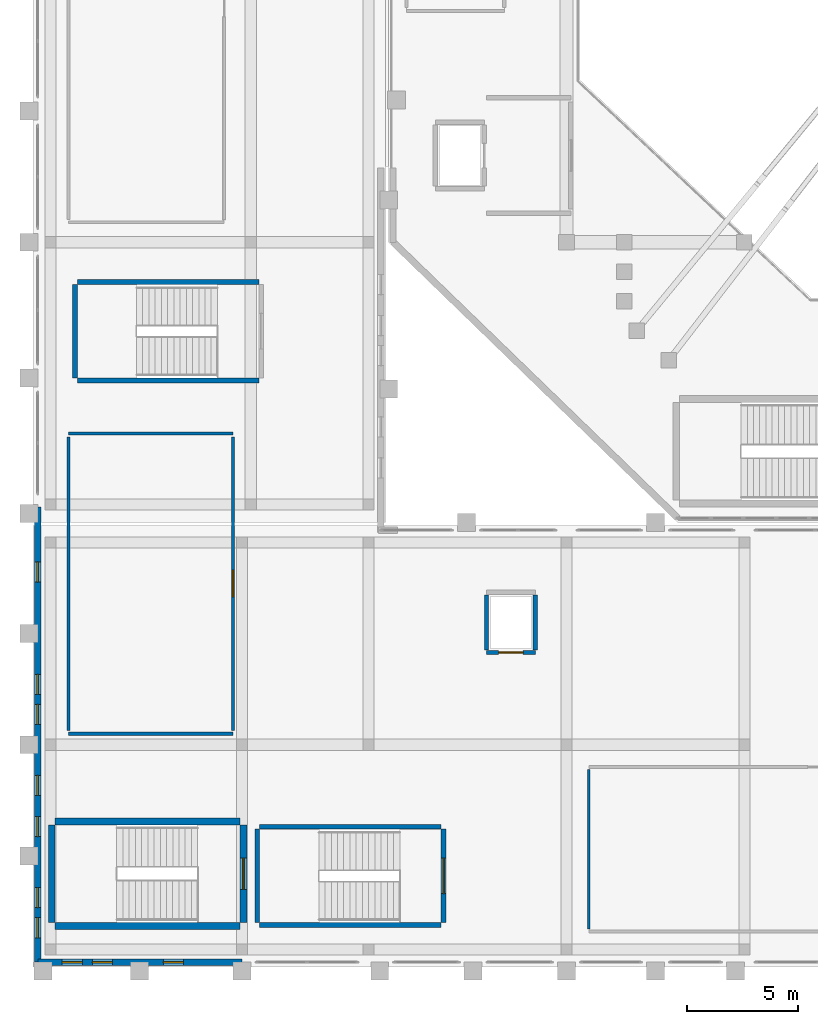
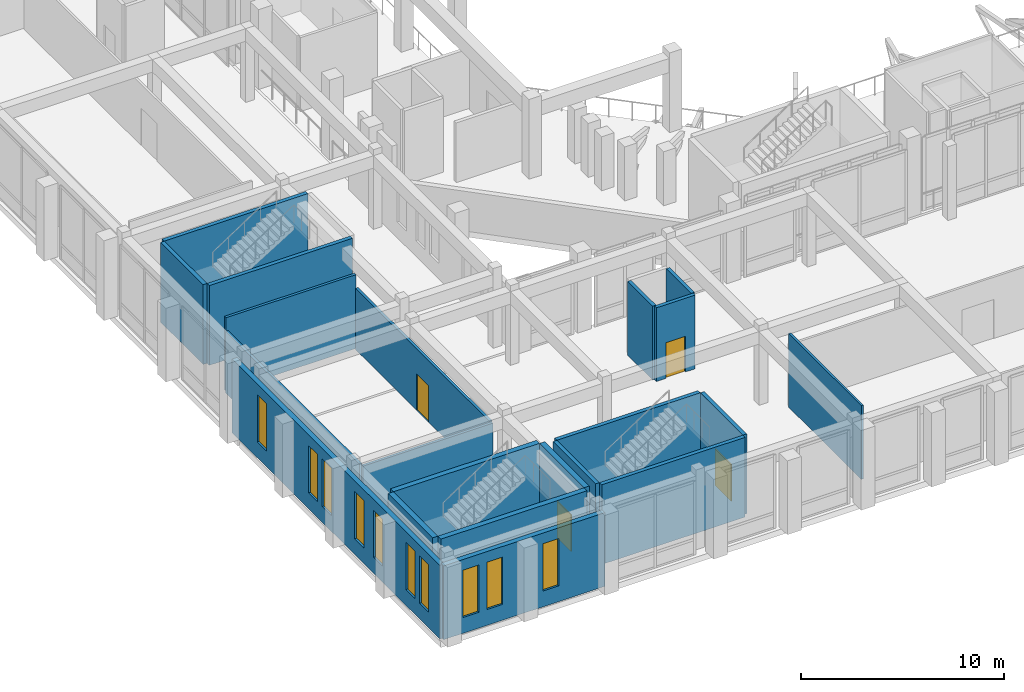
# One storey, part 54 of 79: 21 walls, 10 windows, 4 doors, 14 openings.
"""IFC4 building model written with IfcOpenShell, lengths in metres."""

from ifc_helpers import new_model, si_unit, derived_unit, direction, frame, frame_2d, origin, place, context, subcontext, project, spatial, rectangle, extrude, material, layer, layer_set, type_object, element, fill, save


model = new_model("IFC4")

# Units and contexts
model_context = context("Model", 3, precision=1e-05, world=origin(), true_north=direction((0.0, 1.0)))
body_context = subcontext(model_context, "Body", "Model", "MODEL_VIEW")
ifc_project = project(units=[si_unit("LENGTHUNIT", "METRE"), si_unit("AREAUNIT", "SQUARE_METRE"), si_unit("VOLUMEUNIT", "CUBIC_METRE"), si_unit("PLANEANGLEUNIT", "RADIAN"), si_unit("MASSUNIT", "GRAM", prefix="KILO"), derived_unit("THERMALTRANSMITTANCEUNIT", [(si_unit("MASSUNIT", "GRAM", prefix="KILO"), 1), (si_unit("TIMEUNIT", "SECOND"), -3), (si_unit("THERMODYNAMICTEMPERATUREUNIT", "KELVIN"), -1)])], contexts=[model_context])

# Site, building, storey
site_placement = place(None, origin())
site = spatial("IfcSite", under=ifc_project, at=site_placement, CompositionType="ELEMENT")
building_placement = place(site_placement, origin())
building = spatial("IfcBuilding", under=site, at=building_placement, Name="Valcora Ridge Arena", CompositionType="ELEMENT")
storey_placement = place(building_placement, frame((0.0, 0.0, 16.199951171875)))
storey = spatial("IfcBuildingStorey", under=building, at=storey_placement, Name="L03", CompositionType="ELEMENT", Elevation=16.199951171875)

# Wall, openings, windows
ifc_material_1 = material(Name="Bush-hammered Andean travertine on concrete backup C40/50", Category="masonry")
ifc_layer_1 = layer(ifc_material_1, 0.280029296875, Name="Bush-hammered Andean travertine on concrete backup C40/50")
ifc_layer_set_1 = layer_set([ifc_layer_1], Name="Bush-hammered Andean travertine on concrete backup C40/50")
wall_type_1 = type_object("IfcWallType", Name="TY-WALL-EW-TRV-28-44", PredefinedType="STANDARD", material=ifc_layer_set_1)
wall_1_placement = place(storey_placement, frame((0.219970703125, 0.219970703125, 0.0), z_axis=(0.0, 0.0, 1.0), x_axis=(1.0, 0.0, 0.0)))
wall_1 = element("IfcWall", 1, at=wall_1_placement, inside=storey, type_object=wall_type_1, Name="EW-TRV-28-44 WAL-EW-0092", PredefinedType="STANDARD", context=body_context, shape_type="SweptSolid", body=[
    extrude(rectangle(XDim=9.179931640625, YDim=0.280029296875, at=frame_2d((4.58984375, 0.0))), origin(), (0.0, 0.0, 1.0), 4.43994140625),
])
opening_1_placement = place(wall_1_placement, frame((1.10009765625, 0.0, 0.949951171875)))
opening_1 = element("IfcOpeningElement", 2, at=opening_1_placement, cuts=wall_1, Name="Opening W-GLAN-90X285", PredefinedType="OPENING", context=body_context, shape_type="SweptSolid", body=[
    extrude(rectangle(XDim=0.89990234375, YDim=2.85009765625, at=frame_2d((0.449951171875, 1.425048828125))), frame((0.0, 0.14990234375, 0.0), z_axis=(0.0, -1.0, 0.0), x_axis=(1.0, 0.0, 0.0)), (0.0, 0.0, 1.0), 0.300048828125),
])
opening_2_placement = place(wall_1_placement, frame((2.449951171875, 0.0, 0.949951171875)))
opening_2 = element("IfcOpeningElement", 3, at=opening_2_placement, cuts=wall_1, Name="Opening W-GLAN-90X285", PredefinedType="OPENING", context=body_context, shape_type="SweptSolid", body=[
    extrude(rectangle(XDim=0.89990234375, YDim=2.85009765625, at=frame_2d((0.449951171875, 1.425048828125))), frame((0.0, 0.14990234375, 0.0), z_axis=(0.0, -1.0, 0.0), x_axis=(1.0, 0.0, 0.0)), (0.0, 0.0, 1.0), 0.300048828125),
])
opening_3_placement = place(wall_1_placement, frame((5.64990234375, 0.0, 0.949951171875)))
opening_3 = element("IfcOpeningElement", 4, at=opening_3_placement, cuts=wall_1, Name="Opening W-GLAN-90X285", PredefinedType="OPENING", context=body_context, shape_type="SweptSolid", body=[
    extrude(rectangle(XDim=0.89990234375, YDim=2.85009765625, at=frame_2d((0.449951171875, 1.425048828125))), frame((0.0, 0.14990234375, 0.0), z_axis=(0.0, -1.0, 0.0), x_axis=(1.0, 0.0, 0.0)), (0.0, 0.0, 1.0), 0.300048828125),
])
ifc_material_2 = material(Name="Low-iron solar-control double glazing SHGC 0.28", Category="glass")
window_type = type_object("IfcWindowType", Name="TY-WINDOW-W-GLAN-90X285", PartitioningType="DOUBLE_PANEL_VERTICAL", PredefinedType="WINDOW", material=ifc_material_2)
window_1_placement = place(opening_1_placement, origin())
window_1 = element("IfcWindow", 5, at=window_1_placement, inside=storey, type_object=window_type, Name="W-GLAN-90X285 WIN-EX-0286", OverallHeight=2.85009765625, OverallWidth=0.89990234375, PartitioningType="DOUBLE_PANEL_VERTICAL", PredefinedType="WINDOW", context=body_context, shape_type="SweptSolid", body=[
    extrude(rectangle(XDim=0.89990234375, YDim=2.85009765625, at=frame_2d((0.449951171875, 1.425048828125))), frame((0.0, 0.030029296875, 0.0), z_axis=(0.0, -1.0, 0.0), x_axis=(1.0, 0.0, 0.0)), (0.0, 0.0, 1.0), 0.06005859375),
])
fill(opening_1, window_1)
window_2_placement = place(opening_2_placement, origin())
window_2 = element("IfcWindow", 6, at=window_2_placement, inside=storey, type_object=window_type, Name="W-GLAN-90X285 WIN-EX-0287", OverallHeight=2.85009765625, OverallWidth=0.89990234375, PartitioningType="DOUBLE_PANEL_VERTICAL", PredefinedType="WINDOW", context=body_context, shape_type="SweptSolid", body=[
    extrude(rectangle(XDim=0.89990234375, YDim=2.85009765625, at=frame_2d((0.449951171875, 1.425048828125))), frame((0.0, 0.030029296875, 0.0), z_axis=(0.0, -1.0, 0.0), x_axis=(1.0, 0.0, 0.0)), (0.0, 0.0, 1.0), 0.06005859375),
])
fill(opening_2, window_2)
window_3_placement = place(opening_3_placement, origin())
window_3 = element("IfcWindow", 7, at=window_3_placement, inside=storey, type_object=window_type, Name="W-GLAN-90X285 WIN-EX-0288", OverallHeight=2.85009765625, OverallWidth=0.89990234375, PartitioningType="DOUBLE_PANEL_VERTICAL", PredefinedType="WINDOW", context=body_context, shape_type="SweptSolid", body=[
    extrude(rectangle(XDim=0.89990234375, YDim=2.85009765625, at=frame_2d((0.449951171875, 1.425048828125))), frame((0.0, 0.030029296875, 0.0), z_axis=(0.0, -1.0, 0.0), x_axis=(1.0, 0.0, 0.0)), (0.0, 0.0, 1.0), 0.06005859375),
])
fill(opening_3, window_3)

wall_2_placement = place(storey_placement, frame((0.219970703125, 0.219970703125, 0.0), z_axis=(0.0, 0.0, 1.0), x_axis=(0.0, 1.0, 0.0)))
wall_2 = element("IfcWall", 8, at=wall_2_placement, inside=storey, type_object=wall_type_1, Name="EW-TRV-28-44 WAL-EW-0094", PredefinedType="STANDARD", context=body_context, shape_type="SweptSolid", body=[
    extrude(rectangle(XDim=20.47998046875, YDim=0.280029296875, at=frame_2d((10.239990234375, 0.0))), origin(), (0.0, 0.0, 1.0), 4.43994140625),
])
opening_4_placement = place(wall_2_placement, frame((1.10009765625, 0.0, 0.949951171875)))
opening_4 = element("IfcOpeningElement", 9, at=opening_4_placement, cuts=wall_2, Name="Opening W-GLAN-90X285", PredefinedType="OPENING", context=body_context, shape_type="SweptSolid", body=[
    extrude(rectangle(XDim=0.89990234375, YDim=2.85009765625, at=frame_2d((0.449951171875, 1.425048828125))), frame((0.0, 0.14990234375, 0.0), z_axis=(0.0, -1.0, 0.0), x_axis=(1.0, 0.0, 0.0)), (0.0, 0.0, 1.0), 0.300048828125),
])
opening_5_placement = place(wall_2_placement, frame((2.449951171875, 0.0, 0.949951171875)))
opening_5 = element("IfcOpeningElement", 10, at=opening_5_placement, cuts=wall_2, Name="Opening W-GLAN-90X285", PredefinedType="OPENING", context=body_context, shape_type="SweptSolid", body=[
    extrude(rectangle(XDim=0.89990234375, YDim=2.85009765625, at=frame_2d((0.449951171875, 1.425048828125))), frame((0.0, 0.14990234375, 0.0), z_axis=(0.0, -1.0, 0.0), x_axis=(1.0, 0.0, 0.0)), (0.0, 0.0, 1.0), 0.300048828125),
])
opening_6_placement = place(wall_2_placement, frame((5.64990234375, 0.0, 0.949951171875)))
opening_6 = element("IfcOpeningElement", 11, at=opening_6_placement, cuts=wall_2, Name="Opening W-GLAN-90X285", PredefinedType="OPENING", context=body_context, shape_type="SweptSolid", body=[
    extrude(rectangle(XDim=0.89990234375, YDim=2.85009765625, at=frame_2d((0.449951171875, 1.425048828125))), frame((0.0, 0.14990234375, 0.0), z_axis=(0.0, -1.0, 0.0), x_axis=(1.0, 0.0, 0.0)), (0.0, 0.0, 1.0), 0.300048828125),
])
opening_7_placement = place(wall_2_placement, frame((7.5, 0.0, 0.949951171875)))
opening_7 = element("IfcOpeningElement", 12, at=opening_7_placement, cuts=wall_2, Name="Opening W-GLAN-90X285", PredefinedType="OPENING", context=body_context, shape_type="SweptSolid", body=[
    extrude(rectangle(XDim=0.89990234375, YDim=2.85009765625, at=frame_2d((0.449951171875, 1.425048828125))), frame((0.0, 0.14990234375, 0.0), z_axis=(0.0, -1.0, 0.0), x_axis=(1.0, 0.0, 0.0)), (0.0, 0.0, 1.0), 0.300048828125),
])
opening_8_placement = place(wall_2_placement, frame((10.699951171875, 0.0, 0.949951171875)))
opening_8 = element("IfcOpeningElement", 13, at=opening_8_placement, cuts=wall_2, Name="Opening W-GLAN-90X285", PredefinedType="OPENING", context=body_context, shape_type="SweptSolid", body=[
    extrude(rectangle(XDim=0.89990234375, YDim=2.85009765625, at=frame_2d((0.449951171875, 1.425048828125))), frame((0.0, 0.14990234375, 0.0), z_axis=(0.0, -1.0, 0.0), x_axis=(1.0, 0.0, 0.0)), (0.0, 0.0, 1.0), 0.300048828125),
])
opening_9_placement = place(wall_2_placement, frame((12.050048828125, 0.0, 0.949951171875)))
opening_9 = element("IfcOpeningElement", 14, at=opening_9_placement, cuts=wall_2, Name="Opening W-GLAN-90X285", PredefinedType="OPENING", context=body_context, shape_type="SweptSolid", body=[
    extrude(rectangle(XDim=0.89990234375, YDim=2.85009765625, at=frame_2d((0.449951171875, 1.425048828125))), frame((0.0, 0.14990234375, 0.0), z_axis=(0.0, -1.0, 0.0), x_axis=(1.0, 0.0, 0.0)), (0.0, 0.0, 1.0), 0.300048828125),
])
opening_10_placement = place(wall_2_placement, frame((17.10009765625, 0.0, 0.949951171875)))
opening_10 = element("IfcOpeningElement", 15, at=opening_10_placement, cuts=wall_2, Name="Opening W-GLAN-90X285", PredefinedType="OPENING", context=body_context, shape_type="SweptSolid", body=[
    extrude(rectangle(XDim=0.89990234375, YDim=2.85009765625, at=frame_2d((0.449951171875, 1.425048828125))), frame((0.0, 0.14990234375, 0.0), z_axis=(0.0, -1.0, 0.0), x_axis=(1.0, 0.0, 0.0)), (0.0, 0.0, 1.0), 0.300048828125),
])
window_4_placement = place(opening_4_placement, origin())
window_4 = element("IfcWindow", 16, at=window_4_placement, inside=storey, type_object=window_type, Name="W-GLAN-90X285 WIN-EX-0294", OverallHeight=2.85009765625, OverallWidth=0.89990234375, PartitioningType="DOUBLE_PANEL_VERTICAL", PredefinedType="WINDOW", context=body_context, shape_type="SweptSolid", body=[
    extrude(rectangle(XDim=0.89990234375, YDim=2.85009765625, at=frame_2d((0.449951171875, 1.425048828125))), frame((0.0, 0.030029296875, 0.0), z_axis=(0.0, -1.0, 0.0), x_axis=(1.0, 0.0, 0.0)), (0.0, 0.0, 1.0), 0.06005859375),
])
fill(opening_4, window_4)
window_5_placement = place(opening_5_placement, origin())
window_5 = element("IfcWindow", 17, at=window_5_placement, inside=storey, type_object=window_type, Name="W-GLAN-90X285 WIN-EX-0295", OverallHeight=2.85009765625, OverallWidth=0.89990234375, PartitioningType="DOUBLE_PANEL_VERTICAL", PredefinedType="WINDOW", context=body_context, shape_type="SweptSolid", body=[
    extrude(rectangle(XDim=0.89990234375, YDim=2.85009765625, at=frame_2d((0.449951171875, 1.425048828125))), frame((0.0, 0.030029296875, 0.0), z_axis=(0.0, -1.0, 0.0), x_axis=(1.0, 0.0, 0.0)), (0.0, 0.0, 1.0), 0.06005859375),
])
fill(opening_5, window_5)
window_6_placement = place(opening_6_placement, origin())
window_6 = element("IfcWindow", 18, at=window_6_placement, inside=storey, type_object=window_type, Name="W-GLAN-90X285 WIN-EX-0296", OverallHeight=2.85009765625, OverallWidth=0.89990234375, PartitioningType="DOUBLE_PANEL_VERTICAL", PredefinedType="WINDOW", context=body_context, shape_type="SweptSolid", body=[
    extrude(rectangle(XDim=0.89990234375, YDim=2.85009765625, at=frame_2d((0.449951171875, 1.425048828125))), frame((0.0, 0.030029296875, 0.0), z_axis=(0.0, -1.0, 0.0), x_axis=(1.0, 0.0, 0.0)), (0.0, 0.0, 1.0), 0.06005859375),
])
fill(opening_6, window_6)
window_7_placement = place(opening_7_placement, origin())
window_7 = element("IfcWindow", 19, at=window_7_placement, inside=storey, type_object=window_type, Name="W-GLAN-90X285 WIN-EX-0297", OverallHeight=2.85009765625, OverallWidth=0.89990234375, PartitioningType="DOUBLE_PANEL_VERTICAL", PredefinedType="WINDOW", context=body_context, shape_type="SweptSolid", body=[
    extrude(rectangle(XDim=0.89990234375, YDim=2.85009765625, at=frame_2d((0.449951171875, 1.425048828125))), frame((0.0, 0.030029296875, 0.0), z_axis=(0.0, -1.0, 0.0), x_axis=(1.0, 0.0, 0.0)), (0.0, 0.0, 1.0), 0.06005859375),
])
fill(opening_7, window_7)
window_8_placement = place(opening_8_placement, origin())
window_8 = element("IfcWindow", 20, at=window_8_placement, inside=storey, type_object=window_type, Name="W-GLAN-90X285 WIN-EX-0298", OverallHeight=2.85009765625, OverallWidth=0.89990234375, PartitioningType="DOUBLE_PANEL_VERTICAL", PredefinedType="WINDOW", context=body_context, shape_type="SweptSolid", body=[
    extrude(rectangle(XDim=0.89990234375, YDim=2.85009765625, at=frame_2d((0.449951171875, 1.425048828125))), frame((0.0, 0.030029296875, 0.0), z_axis=(0.0, -1.0, 0.0), x_axis=(1.0, 0.0, 0.0)), (0.0, 0.0, 1.0), 0.06005859375),
])
fill(opening_8, window_8)
window_9_placement = place(opening_9_placement, origin())
window_9 = element("IfcWindow", 21, at=window_9_placement, inside=storey, type_object=window_type, Name="W-GLAN-90X285 WIN-EX-0299", OverallHeight=2.85009765625, OverallWidth=0.89990234375, PartitioningType="DOUBLE_PANEL_VERTICAL", PredefinedType="WINDOW", context=body_context, shape_type="SweptSolid", body=[
    extrude(rectangle(XDim=0.89990234375, YDim=2.85009765625, at=frame_2d((0.449951171875, 1.425048828125))), frame((0.0, 0.030029296875, 0.0), z_axis=(0.0, -1.0, 0.0), x_axis=(1.0, 0.0, 0.0)), (0.0, 0.0, 1.0), 0.06005859375),
])
fill(opening_9, window_9)
window_10_placement = place(opening_10_placement, origin())
window_10 = element("IfcWindow", 22, at=window_10_placement, inside=storey, type_object=window_type, Name="W-GLAN-90X285 WIN-EX-0300", OverallHeight=2.85009765625, OverallWidth=0.89990234375, PartitioningType="DOUBLE_PANEL_VERTICAL", PredefinedType="WINDOW", context=body_context, shape_type="SweptSolid", body=[
    extrude(rectangle(XDim=0.89990234375, YDim=2.85009765625, at=frame_2d((0.449951171875, 1.425048828125))), frame((0.0, 0.030029296875, 0.0), z_axis=(0.0, -1.0, 0.0), x_axis=(1.0, 0.0, 0.0)), (0.0, 0.0, 1.0), 0.06005859375),
])
fill(opening_10, window_10)

# Walls
ifc_material_3 = material(Name="Fire-rated masonry-core compartment wall C35/45 150 mm", Category="masonry")
ifc_layer_2 = layer(ifc_material_3, 0.14990234375, Name="Fire-rated masonry-core compartment wall C35/45 150 mm")
ifc_layer_set_2 = layer_set([ifc_layer_2], Name="Fire-rated masonry-core compartment wall C35/45 150 mm")
wall_type_2 = type_object("IfcWallType", Name="TY-WALL-IW-COMP-150", PredefinedType="STANDARD", material=ifc_layer_set_2)
wall_3_placement = place(storey_placement, frame((1.60009765625, 10.5, 0.0), z_axis=(0.0, 0.0, 1.0), x_axis=(1.0, 0.0, 0.0)))
element("IfcWall", 23, at=wall_3_placement, inside=storey, type_object=wall_type_2, Name="IW-COMP-150 WAL-IN-0431", PredefinedType="STANDARD", context=body_context, shape_type="SweptSolid", body=[
    extrude(rectangle(XDim=7.39990234375, YDim=0.14990234375, at=frame_2d((3.699951171875, 0.0))), origin(), (0.0, 0.0, 1.0), 3.68994140625),
])
wall_4_placement = place(storey_placement, frame((1.60009765625, 24.0, 0.0), z_axis=(0.0, 0.0, 1.0), x_axis=(1.0, 0.0, 0.0)))
element("IfcWall", 24, at=wall_4_placement, inside=storey, type_object=wall_type_2, Name="IW-COMP-150 WAL-IN-0432", PredefinedType="STANDARD", context=body_context, shape_type="SweptSolid", body=[
    extrude(rectangle(XDim=7.39990234375, YDim=0.14990234375, at=frame_2d((3.699951171875, 0.0))), origin(), (0.0, 0.0, 1.0), 4.43994140625),
])
wall_5_placement = place(storey_placement, frame((1.60009765625, 10.64990234375, 0.0), z_axis=(0.0, 0.0, 1.0), x_axis=(0.0, 1.0, 0.0)))
element("IfcWall", 25, at=wall_5_placement, inside=storey, type_object=wall_type_2, Name="IW-COMP-150 WAL-IN-0433", PredefinedType="STANDARD", context=body_context, shape_type="SweptSolid", body=[
    extrude(rectangle(XDim=13.2001953125, YDim=0.14990234375, at=frame_2d((6.60009765625, 0.0))), origin(), (0.0, 0.0, 1.0), 3.68994140625),
])

# Wall, opening, door
wall_6_placement = place(storey_placement, frame((9.0, 10.64990234375, 0.0), z_axis=(0.0, 0.0, 1.0), x_axis=(0.0, 1.0, 0.0)))
wall_6 = element("IfcWall", 26, at=wall_6_placement, inside=storey, type_object=wall_type_2, Name="IW-COMP-150 WAL-IN-0434", PredefinedType="STANDARD", context=body_context, shape_type="SweptSolid", body=[
    extrude(rectangle(XDim=13.2001953125, YDim=0.14990234375, at=frame_2d((6.60009765625, 0.0))), origin(), (0.0, 0.0, 1.0), 3.68994140625),
])
opening_11_placement = place(wall_6_placement, frame((6.0, 0.0, 0.0)))
opening_11 = element("IfcOpeningElement", 27, at=opening_11_placement, cuts=wall_6, Name="Opening FD-KIT-1200", PredefinedType="OPENING", context=body_context, shape_type="SweptSolid", body=[
    extrude(rectangle(XDim=1.199951171875, YDim=2.199951171875, at=frame_2d((0.60009765625, 1.10009765625))), frame((0.0, 0.0849609375, 0.0), z_axis=(0.0, -1.0, 0.0), x_axis=(1.0, 0.0, 0.0)), (0.0, 0.0, 1.0), 0.169921875),
])
ifc_material_4 = material(Name="Insulated fire-rated steel door leaf", Category="steel")
door_type_1 = type_object("IfcDoorType", Name="TY-DOOR-FD-KIT-1200", OperationType="NOTDEFINED", PredefinedType="DOOR", material=ifc_material_4)
door_1_placement = place(opening_11_placement, origin())
door_1 = element("IfcDoor", 28, at=door_1_placement, inside=storey, type_object=door_type_1, Name="FD-KIT-1200 DOR-IN-0113", OperationType="SINGLE_SWING_RIGHT", OverallHeight=2.199951171875, OverallWidth=1.199951171875, PredefinedType="DOOR", context=body_context, shape_type="SweptSolid", body=[
    extrude(rectangle(XDim=1.199951171875, YDim=2.199951171875, at=frame_2d((0.60009765625, 1.10009765625))), frame((0.0, 0.02490234375, 0.0), z_axis=(0.0, -1.0, 0.0), x_axis=(1.0, 0.0, 0.0)), (0.0, 0.0, 1.0), 0.050048828125),
])
fill(opening_11, door_1)

# Wall
ifc_material_5 = material(Name="Acoustic metal-stud gypsum partition 120 mm")
ifc_layer_3 = layer(ifc_material_5, 0.1201171875, Name="Acoustic metal-stud gypsum partition 120 mm")
ifc_layer_set_3 = layer_set([ifc_layer_3], Name="Acoustic metal-stud gypsum partition 120 mm")
wall_type_3 = type_object("IfcWallType", Name="TY-WALL-IW-PART-120", PredefinedType="PARTITIONING", material=ifc_layer_set_3)
wall_7_placement = place(storey_placement, frame((25.0, 1.719970703125, 0.0), z_axis=(0.0, 0.0, 1.0), x_axis=(0.0, 1.0, 0.0)))
element("IfcWall", 29, at=wall_7_placement, inside=storey, type_object=wall_type_3, Name="IW-PART-120 WAL-IN-0429", PredefinedType="PARTITIONING", context=body_context, shape_type="SweptSolid", body=[
    extrude(rectangle(XDim=7.159912109375, YDim=0.1201171875, at=frame_2d((3.580078125, 0.0))), origin(), (0.0, 0.0, 1.0), 4.43994140625),
])

# Wall, opening, door
ifc_material_6 = material(Name="Concrete C40/50", Category="concrete")
ifc_layer_4 = layer(ifc_material_6, 0.199951171875, Name="Concrete C40/50")
ifc_layer_set_4 = layer_set([ifc_layer_4], Name="Concrete C40/50")
wall_type_4 = type_object("IfcWallType", Name="TY-WALL-IW-SHF-200", PredefinedType="STANDARD", material=ifc_layer_set_4)
wall_8_placement = place(storey_placement, frame((20.39990234375, 14.14990234375, 0.0), z_axis=(0.0, 0.0, 1.0), x_axis=(1.0, 0.0, 0.0)))
wall_8 = element("IfcWall", 30, at=wall_8_placement, inside=storey, type_object=wall_type_4, Name="IW-SHF-200 WAL-SH-0185", PredefinedType="STANDARD", context=body_context, shape_type="SweptSolid", body=[
    extrude(rectangle(XDim=2.2001953125, YDim=0.199951171875, at=frame_2d((1.10009765625, 0.0))), origin(), (0.0, 0.0, 1.0), 4.43994140625),
])
opening_12_placement = place(wall_8_placement, frame((0.550048828125, 0.0, 0.0)))
opening_12 = element("IfcOpeningElement", 31, at=opening_12_placement, cuts=wall_8, Name="Opening LD-PAX", PredefinedType="OPENING", context=body_context, shape_type="SweptSolid", body=[
    extrude(rectangle(XDim=1.10009765625, YDim=2.14990234375, at=frame_2d((0.550048828125, 1.074951171875))), frame((0.0, 0.10986328125, 0.0), z_axis=(0.0, -1.0, 0.0), x_axis=(1.0, 0.0, 0.0)), (0.0, 0.0, 1.0), 0.219970703125),
])
ifc_material_7 = material(Name="Insulated fire-rated hollow metal steel", Category="steel")
door_type_2 = type_object("IfcDoorType", Name="TY-DOOR-LD-PAX", OperationType="NOTDEFINED", PredefinedType="DOOR", material=ifc_material_7)
door_2_placement = place(opening_12_placement, origin())
door_2 = element("IfcDoor", 32, at=door_2_placement, inside=storey, type_object=door_type_2, Name="CL1 Landing Door L03", OperationType="SLIDING_TO_LEFT", OverallHeight=2.14990234375, OverallWidth=1.10009765625, PredefinedType="DOOR", context=body_context, shape_type="SweptSolid", body=[
    extrude(rectangle(XDim=1.10009765625, YDim=2.14990234375, at=frame_2d((0.550048828125, 1.074951171875))), frame((0.0, 0.02490234375, 0.0), z_axis=(0.0, -1.0, 0.0), x_axis=(1.0, 0.0, 0.0)), (0.0, 0.0, 1.0), 0.050048828125),
])
fill(opening_12, door_2)

# Walls
for number, where, z_axis, x_axis, name in (
    (33, (20.39990234375, 14.27001953125, 0.0), (0.0, 0.0, 1.0), (0.0, 1.0, 0.0), "IW-SHF-200 WAL-SH-0187"),
    (34, (22.60009765625, 14.27001953125, 0.0), (0.0, 0.0, 1.0), (0.0, 1.0, 0.0), "IW-SHF-200 WAL-SH-0188"),
):
    element("IfcWall", number, at=place(storey_placement, frame(where, z_axis=z_axis, x_axis=x_axis)), inside=storey, type_object=wall_type_4, Name=name, PredefinedType="STANDARD", context=body_context, shape_type="SweptSolid", body=[
        extrude(rectangle(XDim=2.4599609375, YDim=0.199951171875, at=frame_2d((1.22998046875, 0.0))), origin(), (0.0, 0.0, 1.0), 4.43994140625),
    ])
ifc_material_8 = material(Name="Concrete C45/55", Category="concrete")
ifc_layer_5 = layer(ifc_material_8, 0.300048828125, Name="Concrete C45/55")
ifc_layer_set_5 = layer_set([ifc_layer_5], Name="Concrete C45/55")
wall_type_5 = type_object("IfcWallType", Name="TY-WALL-SW-C300-L", PredefinedType="SHEAR", material=ifc_layer_set_5)
for number, where, z_axis, x_axis, name in (
    (35, (1.0, 1.85009765625, 0.0), (0.0, 0.0, 1.0), (1.0, 0.0, 0.0), "SW-C300-L WAL-CR-0157"),
    (36, (1.0, 6.550048828125, 0.0), (0.0, 0.0, 1.0), (1.0, 0.0, 0.0), "SW-C300-L WAL-CR-0158"),
):
    element("IfcWall", number, at=place(storey_placement, frame(where, z_axis=z_axis, x_axis=x_axis)), inside=storey, type_object=wall_type_5, Name=name, PredefinedType="SHEAR", context=body_context, shape_type="SweptSolid", body=[
        extrude(rectangle(XDim=8.320068359375, YDim=0.300048828125, at=frame_2d((4.16015625, 0.0))), origin(), (0.0, 0.0, 1.0), 4.800048828125),
    ])
ifc_layer_6 = layer(ifc_material_8, 0.300048828125, Name="Concrete C45/55")
ifc_layer_set_6 = layer_set([ifc_layer_6], Name="Concrete C45/55")
wall_type_6 = type_object("IfcWallType", Name="TY-WALL-SW-C300-S", PredefinedType="SHEAR", material=ifc_layer_set_6)
wall_9_placement = place(storey_placement, frame((0.85009765625, 2.0, 0.0), z_axis=(0.0, 0.0, 1.0), x_axis=(0.0, 1.0, 0.0)))
element("IfcWall", 37, at=wall_9_placement, inside=storey, type_object=wall_type_6, Name="SW-C300-S WAL-CR-0159", PredefinedType="SHEAR", context=body_context, shape_type="SweptSolid", body=[
    extrude(rectangle(XDim=4.39990234375, YDim=0.300048828125, at=frame_2d((2.199951171875, 0.0))), origin(), (0.0, 0.0, 1.0), 4.800048828125),
])

# Wall, opening, door
wall_10_placement = place(storey_placement, frame((9.469970703125, 2.0, 0.0), z_axis=(0.0, 0.0, 1.0), x_axis=(0.0, 1.0, 0.0)))
wall_10 = element("IfcWall", 38, at=wall_10_placement, inside=storey, type_object=wall_type_6, Name="SW-C300-S WAL-CR-0160", PredefinedType="SHEAR", context=body_context, shape_type="SweptSolid", body=[
    extrude(rectangle(XDim=4.39990234375, YDim=0.300048828125, at=frame_2d((2.199951171875, 0.0))), origin(), (0.0, 0.0, 1.0), 4.800048828125),
])
opening_13_placement = place(wall_10_placement, frame((1.5, 0.0, 0.0)))
opening_13 = element("IfcOpeningElement", 39, at=opening_13_placement, cuts=wall_10, Name="Opening FD-01", PredefinedType="OPENING", context=body_context, shape_type="SweptSolid", body=[
    extrude(rectangle(XDim=1.39990234375, YDim=2.199951171875, at=frame_2d((0.699951171875, 1.10009765625))), frame((0.0, 0.159912109375, 0.0), z_axis=(0.0, -1.0, 0.0), x_axis=(1.0, 0.0, 0.0)), (0.0, 0.0, 1.0), 0.320068359375),
])
door_type_3 = type_object("IfcDoorType", Name="TY-DOOR-FD-01", OperationType="NOTDEFINED", PredefinedType="DOOR", material=ifc_material_4)
door_3_placement = place(opening_13_placement, origin())
door_3 = element("IfcDoor", 40, at=door_3_placement, inside=storey, type_object=door_type_3, Name="FD-01 DOR-ST-0040", OperationType="DOUBLE_DOOR_SINGLE_SWING", OverallHeight=2.199951171875, OverallWidth=1.39990234375, PredefinedType="DOOR", context=body_context, shape_type="SweptSolid", body=[
    extrude(rectangle(XDim=1.39990234375, YDim=2.199951171875, at=frame_2d((0.699951171875, 1.10009765625))), frame((0.0, 0.02490234375, 0.0), z_axis=(0.0, -1.0, 0.0), x_axis=(1.0, 0.0, 0.0)), (0.0, 0.0, 1.0), 0.050048828125),
])
fill(opening_13, door_3)

# Walls
ifc_material_9 = material(Name="Fire-resisting reinforced concrete enclosure C40/50 200 mm", Category="concrete")
ifc_layer_7 = layer(ifc_material_9, 0.219970703125, Name="Fire-resisting reinforced concrete enclosure C40/50 200 mm")
ifc_layer_set_7 = layer_set([ifc_layer_7], Name="Fire-resisting reinforced concrete enclosure C40/50 200 mm")
wall_type_7 = type_object("IfcWallType", Name="TY-WALL-SW-ES-220", PredefinedType="SHEAR", material=ifc_layer_set_7)
for number, where, z_axis, x_axis, name in (
    (41, (10.199951171875, 1.889892578125, 0.0), (0.0, 0.0, 1.0), (1.0, 0.0, 0.0), "SW-ES-220 WAL-ES-0109"),
    (42, (10.199951171875, 6.31005859375, 0.0), (0.0, 0.0, 1.0), (1.0, 0.0, 0.0), "SW-ES-220 WAL-ES-0110"),
):
    element("IfcWall", number, at=place(storey_placement, frame(where, z_axis=z_axis, x_axis=x_axis)), inside=storey, type_object=wall_type_7, Name=name, PredefinedType="SHEAR", context=body_context, shape_type="SweptSolid", body=[
        extrude(rectangle(XDim=8.16015625, YDim=0.219970703125, at=frame_2d((4.080078125, 0.0))), origin(), (0.0, 0.0, 1.0), 4.800048828125),
    ])
wall_11_placement = place(storey_placement, frame((10.090087890625, 2.0, 0.0), z_axis=(0.0, 0.0, 1.0), x_axis=(0.0, 1.0, 0.0)))
element("IfcWall", 43, at=wall_11_placement, inside=storey, type_object=wall_type_7, Name="SW-ES-220 WAL-ES-0111", PredefinedType="SHEAR", context=body_context, shape_type="SweptSolid", body=[
    extrude(rectangle(XDim=4.199951171875, YDim=0.219970703125, at=frame_2d((2.10009765625, 0.0))), origin(), (0.0, 0.0, 1.0), 4.800048828125),
])

# Wall, opening, door
wall_12_placement = place(storey_placement, frame((18.469970703125, 2.0, 0.0), z_axis=(0.0, 0.0, 1.0), x_axis=(0.0, 1.0, 0.0)))
wall_12 = element("IfcWall", 44, at=wall_12_placement, inside=storey, type_object=wall_type_7, Name="SW-ES-220 WAL-ES-0112", PredefinedType="SHEAR", context=body_context, shape_type="SweptSolid", body=[
    extrude(rectangle(XDim=4.199951171875, YDim=0.219970703125, at=frame_2d((2.10009765625, 0.0))), origin(), (0.0, 0.0, 1.0), 4.800048828125),
])
opening_14_placement = place(wall_12_placement, frame((1.300048828125, 0.0, 0.0)))
opening_14 = element("IfcOpeningElement", 45, at=opening_14_placement, cuts=wall_12, Name="Opening FD-02", PredefinedType="OPENING", context=body_context, shape_type="SweptSolid", body=[
    extrude(rectangle(XDim=1.60009765625, YDim=2.199951171875, at=frame_2d((0.800048828125, 1.10009765625))), frame((0.0, 0.119873046875, 0.0), z_axis=(0.0, -1.0, 0.0), x_axis=(1.0, 0.0, 0.0)), (0.0, 0.0, 1.0), 0.239990234375),
])
door_type_4 = type_object("IfcDoorType", Name="TY-DOOR-FD-02", OperationType="NOTDEFINED", PredefinedType="DOOR", material=ifc_material_4)
door_4_placement = place(opening_14_placement, origin())
door_4 = element("IfcDoor", 46, at=door_4_placement, inside=storey, type_object=door_type_4, Name="FD-02 DOR-ES-0024", OperationType="DOUBLE_DOOR_SINGLE_SWING", OverallHeight=2.199951171875, OverallWidth=1.60009765625, PredefinedType="DOOR", context=body_context, shape_type="SweptSolid", body=[
    extrude(rectangle(XDim=1.60009765625, YDim=2.199951171875, at=frame_2d((0.800048828125, 1.10009765625))), frame((0.0, 0.02490234375, 0.0), z_axis=(0.0, -1.0, 0.0), x_axis=(1.0, 0.0, 0.0)), (0.0, 0.0, 1.0), 0.050048828125),
])
fill(opening_14, door_4)

# Walls
for number, where, z_axis, x_axis, name in (
    (47, (2.0, 26.389892578125, 0.0), (0.0, 0.0, 1.0), (1.0, 0.0, 0.0), "SW-ES-220 WAL-ES-0141"),
    (48, (2.0, 30.81005859375, 0.0), (0.0, 0.0, 1.0), (1.0, 0.0, 0.0), "SW-ES-220 WAL-ES-0142"),
):
    element("IfcWall", number, at=place(storey_placement, frame(where, z_axis=z_axis, x_axis=x_axis)), inside=storey, type_object=wall_type_7, Name=name, PredefinedType="SHEAR", context=body_context, shape_type="SweptSolid", body=[
        extrude(rectangle(XDim=8.159912109375, YDim=0.219970703125, at=frame_2d((4.080078125, 0.0))), origin(), (0.0, 0.0, 1.0), 4.800048828125),
    ])
wall_13_placement = place(storey_placement, frame((1.889892578125, 26.5, 0.0), z_axis=(0.0, 0.0, 1.0), x_axis=(0.0, 1.0, 0.0)))
element("IfcWall", 49, at=wall_13_placement, inside=storey, type_object=wall_type_7, Name="SW-ES-220 WAL-ES-0143", PredefinedType="SHEAR", context=body_context, shape_type="SweptSolid", body=[
    extrude(rectangle(XDim=4.199951171875, YDim=0.219970703125, at=frame_2d((2.10009765625, 0.0))), origin(), (0.0, 0.0, 1.0), 4.800048828125),
])

save(model, "model.ifc")
